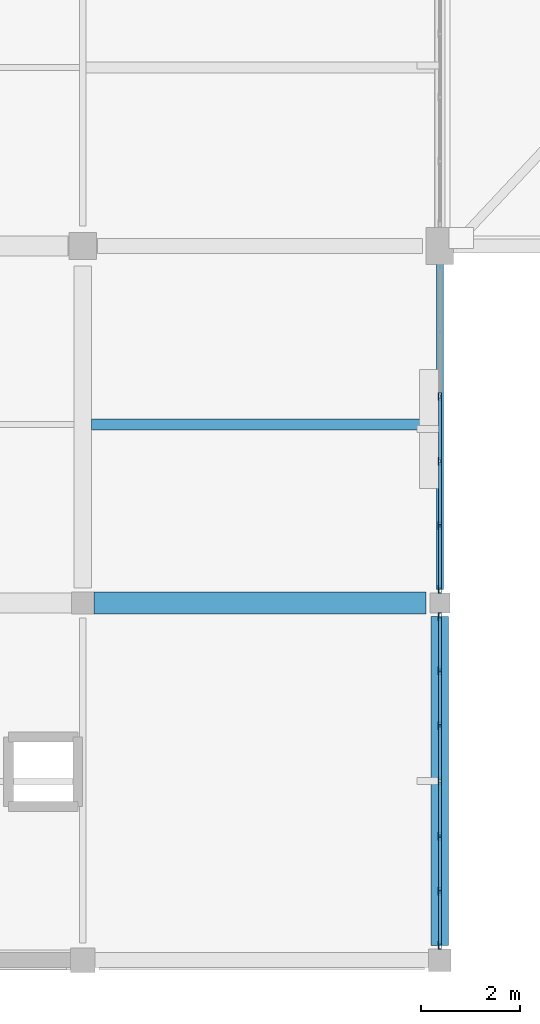
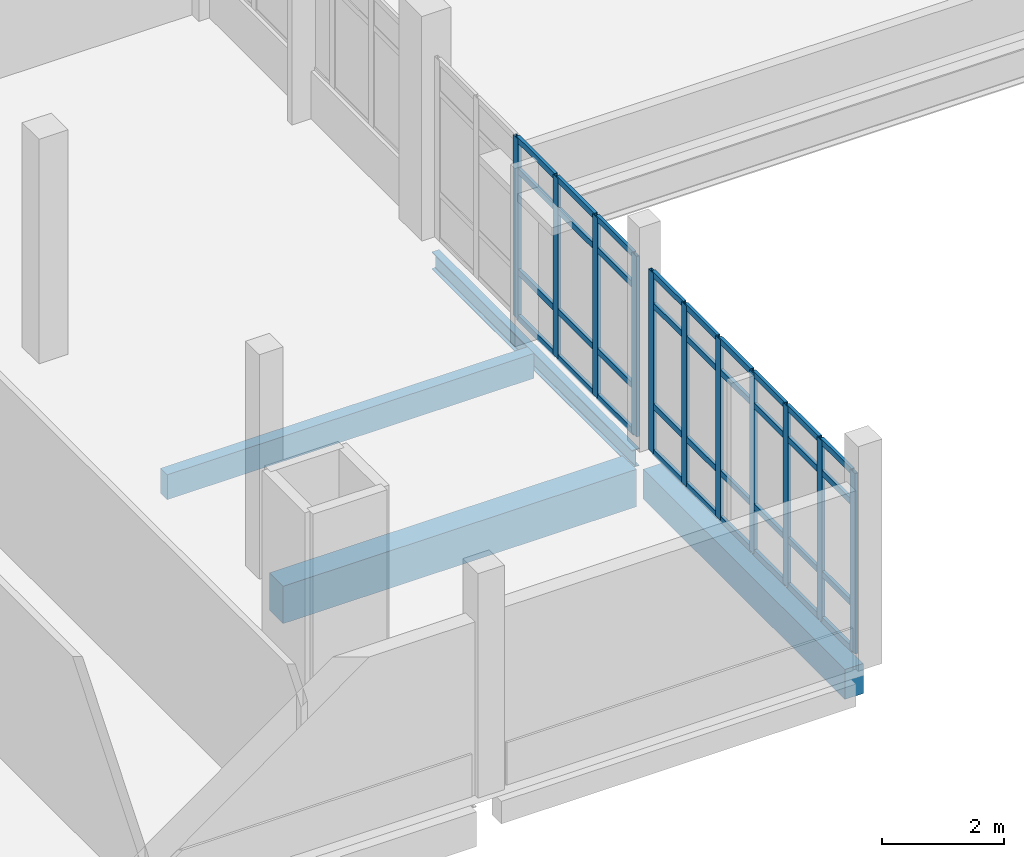
# One storey, part 7 of 87: 47 members, 4 beams, 2 elements without a shape of their own.
"""IFC4 building model written with IfcOpenShell, lengths in metres."""

from ifc_helpers import new_model, si_unit, direction, frame, origin, origin_2d, place, context, subcontext, project, spatial, rectangle, hollow_rectangle, i_section, extrude, material, material_profile, profile_set, type_object, element, aggregate, save


model = new_model("IFC4")

# Units and contexts
model_context = context("Model", 3, precision=1e-05, world=origin(), true_north=direction((0.0, 1.0)))
body_context = subcontext(model_context, "Body", "Model", "MODEL_VIEW")
ifc_project = project(units=[si_unit("LENGTHUNIT", "METRE"), si_unit("AREAUNIT", "SQUARE_METRE"), si_unit("VOLUMEUNIT", "CUBIC_METRE"), si_unit("PLANEANGLEUNIT", "RADIAN"), si_unit("MASSUNIT", "GRAM", prefix="KILO")], contexts=[model_context])

# Site, building, storey
site_placement = place(None, origin())
site = spatial("IfcSite", under=ifc_project, at=site_placement, CompositionType="ELEMENT")
building_placement = place(site_placement, origin())
building = spatial("IfcBuilding", under=site, at=building_placement, Name="Kalluvel Institute of Natural Sciences", CompositionType="ELEMENT")
storey_placement = place(building_placement, frame((0.0, 0.0, 18.89990234375)))
storey = spatial("IfcBuildingStorey", under=building, at=storey_placement, Name="L04", CompositionType="ELEMENT", Elevation=18.89990234375)

# Beams
ifc_material_1 = material(Name="Steel E350 Grade 350", Category="steel")
ifc_material_profile_1 = material_profile(ifc_material_1, i_section(OverallWidth=0.139892578125, OverallDepth=0.35009765625, WebThickness=0.008056640625, FlangeThickness=0.01416015625, FilletRadius=0.013916015625, at=origin_2d()), Name="ISMB 350")
ifc_profile_set_1 = profile_set([ifc_material_profile_1], Name="Steel E350 Grade 350")
beam_type_1 = type_object("IfcBeamType", Name="BM-ISMB350", PredefinedType="BEAM", material=ifc_profile_set_1)
beam_1_placement = place(storey_placement, frame((35.60009765625, 21.47509765625, -0.474853515625), z_axis=(0.0, 1.0, 0.0), x_axis=(-1.0, 0.0, 0.0)))
element("IfcBeam", 1, at=beam_1_placement, inside=storey, type_object=beam_type_1, Name="L04 girder GIR-L04-NS-X356-Y212", PredefinedType="BEAM", context=body_context, shape_type="SweptSolid", body=[
    extrude(i_section(OverallWidth=0.139892578125, OverallDepth=0.35009765625, WebThickness=0.008056640625, FlangeThickness=0.01416015625, FilletRadius=0.013916015625, at=origin_2d()), origin(), (0.0, 0.0, 1.0), 6.574951171875),
])
ifc_material_2 = material(Name="Concrete M40", Category="concrete")
ifc_material_profile_2 = material_profile(ifc_material_2, rectangle(XDim=0.35009765625, YDim=0.60009765625, at=origin_2d()), Name="RCB 350x600")
ifc_profile_set_2 = profile_set([ifc_material_profile_2], Name="Concrete M40")
beam_type_2 = type_object("IfcBeamType", Name="BM-RC350x600", PredefinedType="BEAM", material=ifc_profile_set_2)
beam_2_placement = place(storey_placement, frame((35.60009765625, 14.300048828125, -0.599853515625), z_axis=(0.0, 1.0, 0.0), x_axis=(-1.0, 0.0, 0.0)))
element("IfcBeam", 2, at=beam_2_placement, inside=storey, type_object=beam_type_2, Name="L04 girder GIR-L04-NS-X356-Y140", PredefinedType="BEAM", context=body_context, shape_type="SweptSolid", body=[
    extrude(rectangle(XDim=0.35009765625, YDim=0.60009765625, at=origin_2d()), origin(), (0.0, 0.0, 1.0), 6.625),
])
ifc_material_profile_3 = material_profile(ifc_material_2, rectangle(XDim=0.449951171875, YDim=0.75, at=origin_2d()), Name="RCB 450x750")
ifc_profile_set_3 = profile_set([ifc_material_profile_3], Name="Concrete M40")
beam_type_3 = type_object("IfcBeamType", Name="BM-RC450x750", PredefinedType="BEAM", material=ifc_profile_set_3)
beam_3_placement = place(storey_placement, frame((28.625, 21.199951171875, -0.6748046875), z_axis=(1.0, 0.0, 0.0), x_axis=(0.0, 1.0, 0.0)))
element("IfcBeam", 3, at=beam_3_placement, inside=storey, type_object=beam_type_3, Name="L04 girder GIR-L04-EW-X284-Y212", PredefinedType="BEAM", context=body_context, shape_type="SweptSolid", body=[
    extrude(rectangle(XDim=0.449951171875, YDim=0.75, at=origin_2d()), origin(), (0.0, 0.0, 1.0), 6.699951171875),
])

# Curtain wall, members
ifc_material_3 = material(Name="Aluminium AW-6063 T6", Category="aluminium")
curtain_wall_type = type_object("IfcCurtainWallType", Name="CW-DRY-45", PredefinedType="USERDEFINED", material=ifc_material_3)
curtain_wall_1_placement = place(storey_placement, origin())
curtain_wall_1 = element("IfcCurtainWall", 4, at=curtain_wall_1_placement, inside=storey, type_object=curtain_wall_type, Name="L04 Gothic lancet curtain wall CWA-L04-X356-Y143", ObjectType="UNITISED LANCET FACADE", PredefinedType="USERDEFINED")
ifc_material_profile_4 = material_profile(ifc_material_3, hollow_rectangle(XDim=0.06005859375, YDim=0.159912109375, WallThickness=0.00390625, at=origin_2d()), Name="CWM 60x160")
ifc_profile_set_4 = profile_set([ifc_material_profile_4], Name="Aluminium AW-6063 T6")
member_type_1 = type_object("IfcMemberType", Name="CWM-60x160", PredefinedType="MULLION", material=ifc_profile_set_4)
member_1_placement = place(storey_placement, frame((35.60009765625, 14.304931640625, 0.0), z_axis=(0.0, 0.0, 1.0), x_axis=(-1.0, 0.0, 0.0)))
member_1 = element("IfcMember", 5, at=member_1_placement, type_object=member_type_1, Name="CW-03 mullion 1", PredefinedType="MULLION", context=body_context, shape_type="SweptSolid", body=[
    extrude(hollow_rectangle(XDim=0.06005859375, YDim=0.159912109375, WallThickness=0.00390625, at=origin_2d()), origin(), (0.0, 0.0, 1.0), 3.6201171875),
])
member_2_placement = place(storey_placement, frame((35.60009765625, 15.387451171875, 0.0), z_axis=(0.0, 0.0, 1.0), x_axis=(-1.0, 0.0, 0.0)))
member_2 = element("IfcMember", 6, at=member_2_placement, type_object=member_type_1, Name="CW-03 mullion 2", PredefinedType="MULLION", context=body_context, shape_type="SweptSolid", body=[
    extrude(hollow_rectangle(XDim=0.06005859375, YDim=0.159912109375, WallThickness=0.00390625, at=origin_2d()), origin(), (0.0, 0.0, 1.0), 3.6201171875),
])
member_3_placement = place(storey_placement, frame((35.60009765625, 16.5, 0.0), z_axis=(0.0, 0.0, 1.0), x_axis=(-1.0, 0.0, 0.0)))
member_3 = element("IfcMember", 7, at=member_3_placement, type_object=member_type_1, Name="CW-03 mullion 3", PredefinedType="MULLION", context=body_context, shape_type="SweptSolid", body=[
    extrude(hollow_rectangle(XDim=0.06005859375, YDim=0.159912109375, WallThickness=0.00390625, at=origin_2d()), origin(), (0.0, 0.0, 1.0), 3.6201171875),
])
member_4_placement = place(storey_placement, frame((35.60009765625, 17.612548828125, 0.0), z_axis=(0.0, 0.0, 1.0), x_axis=(-1.0, 0.0, 0.0)))
member_4 = element("IfcMember", 8, at=member_4_placement, type_object=member_type_1, Name="CW-03 mullion 4", PredefinedType="MULLION", context=body_context, shape_type="SweptSolid", body=[
    extrude(hollow_rectangle(XDim=0.06005859375, YDim=0.159912109375, WallThickness=0.00390625, at=origin_2d()), origin(), (0.0, 0.0, 1.0), 3.6201171875),
])
member_5_placement = place(storey_placement, frame((35.60009765625, 18.72509765625, 0.0), z_axis=(0.0, 0.0, 1.0), x_axis=(-1.0, 0.0, 0.0)))
member_5 = element("IfcMember", 9, at=member_5_placement, type_object=member_type_1, Name="CW-03 mullion 5", PredefinedType="MULLION", context=body_context, shape_type="SweptSolid", body=[
    extrude(hollow_rectangle(XDim=0.06005859375, YDim=0.159912109375, WallThickness=0.00390625, at=origin_2d()), origin(), (0.0, 0.0, 1.0), 3.6201171875),
])
member_6_placement = place(storey_placement, frame((35.60009765625, 19.83740234375, 0.0), z_axis=(0.0, 0.0, 1.0), x_axis=(-1.0, 0.0, 0.0)))
member_6 = element("IfcMember", 10, at=member_6_placement, type_object=member_type_1, Name="CW-03 mullion 6", PredefinedType="MULLION", context=body_context, shape_type="SweptSolid", body=[
    extrude(hollow_rectangle(XDim=0.06005859375, YDim=0.159912109375, WallThickness=0.00390625, at=origin_2d()), origin(), (0.0, 0.0, 1.0), 3.6201171875),
])
member_7_placement = place(storey_placement, frame((35.60009765625, 20.919921875, 0.0), z_axis=(0.0, 0.0, 1.0), x_axis=(-1.0, 0.0, 0.0)))
member_7 = element("IfcMember", 11, at=member_7_placement, type_object=member_type_1, Name="CW-03 mullion 7", PredefinedType="MULLION", context=body_context, shape_type="SweptSolid", body=[
    extrude(hollow_rectangle(XDim=0.06005859375, YDim=0.159912109375, WallThickness=0.00390625, at=origin_2d()), origin(), (0.0, 0.0, 1.0), 3.6201171875),
])

curtain_wall_2_placement = place(storey_placement, origin())
curtain_wall_2 = element("IfcCurtainWall", 12, at=curtain_wall_2_placement, inside=storey, type_object=curtain_wall_type, Name="L04 Gothic lancet curtain wall CWA-L04-X356-Y214", ObjectType="UNITISED LANCET FACADE", PredefinedType="USERDEFINED")
member_8_placement = place(storey_placement, frame((35.60009765625, 21.47998046875, 0.0), z_axis=(0.0, 0.0, 1.0), x_axis=(-1.0, 0.0, 0.0)))
member_8 = element("IfcMember", 13, at=member_8_placement, type_object=member_type_1, Name="CW-03 mullion 1", PredefinedType="MULLION", context=body_context, shape_type="SweptSolid", body=[
    extrude(hollow_rectangle(XDim=0.06005859375, YDim=0.159912109375, WallThickness=0.00390625, at=origin_2d()), origin(), (0.0, 0.0, 1.0), 3.6201171875),
])
member_9_placement = place(storey_placement, frame((35.60009765625, 22.7548828125, 0.0), z_axis=(0.0, 0.0, 1.0), x_axis=(-1.0, 0.0, 0.0)))
member_9 = element("IfcMember", 14, at=member_9_placement, type_object=member_type_1, Name="CW-03 mullion 2", PredefinedType="MULLION", context=body_context, shape_type="SweptSolid", body=[
    extrude(hollow_rectangle(XDim=0.06005859375, YDim=0.159912109375, WallThickness=0.00390625, at=origin_2d()), origin(), (0.0, 0.0, 1.0), 3.6201171875),
])
member_10_placement = place(storey_placement, frame((35.60009765625, 24.06005859375, 0.0), z_axis=(0.0, 0.0, 1.0), x_axis=(-1.0, 0.0, 0.0)))
member_10 = element("IfcMember", 15, at=member_10_placement, type_object=member_type_1, Name="CW-03 mullion 3", PredefinedType="MULLION", context=body_context, shape_type="SweptSolid", body=[
    extrude(hollow_rectangle(XDim=0.06005859375, YDim=0.159912109375, WallThickness=0.00390625, at=origin_2d()), origin(), (0.0, 0.0, 1.0), 3.6201171875),
])
member_11_placement = place(storey_placement, frame((35.60009765625, 25.364990234375, 0.0), z_axis=(0.0, 0.0, 1.0), x_axis=(-1.0, 0.0, 0.0)))
member_11 = element("IfcMember", 16, at=member_11_placement, type_object=member_type_1, Name="CW-03 mullion 4", PredefinedType="MULLION", context=body_context, shape_type="SweptSolid", body=[
    extrude(hollow_rectangle(XDim=0.06005859375, YDim=0.159912109375, WallThickness=0.00390625, at=origin_2d()), origin(), (0.0, 0.0, 1.0), 3.6201171875),
])

# Member
ifc_material_profile_5 = material_profile(ifc_material_3, hollow_rectangle(XDim=0.06005859375, YDim=0.1201171875, WallThickness=0.00390625, at=origin_2d()), Name="CWT 60x120")
ifc_profile_set_5 = profile_set([ifc_material_profile_5], Name="Aluminium AW-6063 T6")
member_type_2 = type_object("IfcMemberType", Name="CWT-60x120", PredefinedType="USERDEFINED", material=ifc_profile_set_5)
member_12_placement = place(storey_placement, frame((35.60009765625, 14.3349609375, 0.030029296875), z_axis=(0.0, 1.0, 0.0), x_axis=(-1.0, 0.0, 0.0)))
member_12 = element("IfcMember", 17, at=member_12_placement, type_object=member_type_2, Name="CW-03 transom 1.1", ObjectType="TRANSOM", PredefinedType="USERDEFINED", context=body_context, shape_type="SweptSolid", body=[
    extrude(hollow_rectangle(XDim=0.06005859375, YDim=0.1201171875, WallThickness=0.00390625, at=origin_2d()), origin(), (0.0, 0.0, 1.0), 1.0224609375),
])

member_13_placement = place(storey_placement, frame((35.60009765625, 14.3349609375, 0.9501953125), z_axis=(0.0, 1.0, 0.0), x_axis=(-1.0, 0.0, 0.0)))
member_13 = element("IfcMember", 18, at=member_13_placement, type_object=member_type_2, Name="CW-03 transom 1.2", ObjectType="TRANSOM", PredefinedType="USERDEFINED", context=body_context, shape_type="SweptSolid", body=[
    extrude(hollow_rectangle(XDim=0.06005859375, YDim=0.1201171875, WallThickness=0.00390625, at=origin_2d()), origin(), (0.0, 0.0, 1.0), 1.0224609375),
])

member_14_placement = place(storey_placement, frame((35.60009765625, 14.3349609375, 2.97021484375), z_axis=(0.0, 1.0, 0.0), x_axis=(-1.0, 0.0, 0.0)))
member_14 = element("IfcMember", 19, at=member_14_placement, type_object=member_type_2, Name="CW-03 transom 1.3", ObjectType="TRANSOM", PredefinedType="USERDEFINED", context=body_context, shape_type="SweptSolid", body=[
    extrude(hollow_rectangle(XDim=0.06005859375, YDim=0.1201171875, WallThickness=0.00390625, at=origin_2d()), origin(), (0.0, 0.0, 1.0), 1.0224609375),
])

member_15_placement = place(storey_placement, frame((35.60009765625, 14.3349609375, 3.590087890625), z_axis=(0.0, 1.0, 0.0), x_axis=(-1.0, 0.0, 0.0)))
member_15 = element("IfcMember", 20, at=member_15_placement, type_object=member_type_2, Name="CW-03 transom 1.4", ObjectType="TRANSOM", PredefinedType="USERDEFINED", context=body_context, shape_type="SweptSolid", body=[
    extrude(hollow_rectangle(XDim=0.06005859375, YDim=0.1201171875, WallThickness=0.00390625, at=origin_2d()), origin(), (0.0, 0.0, 1.0), 1.0224609375),
])

member_16_placement = place(storey_placement, frame((35.60009765625, 15.41748046875, 0.030029296875), z_axis=(0.0, 1.0, 0.0), x_axis=(-1.0, 0.0, 0.0)))
member_16 = element("IfcMember", 21, at=member_16_placement, type_object=member_type_2, Name="CW-03 transom 2.1", ObjectType="TRANSOM", PredefinedType="USERDEFINED", context=body_context, shape_type="SweptSolid", body=[
    extrude(hollow_rectangle(XDim=0.06005859375, YDim=0.1201171875, WallThickness=0.00390625, at=origin_2d()), origin(), (0.0, 0.0, 1.0), 1.052490234375),
])

member_17_placement = place(storey_placement, frame((35.60009765625, 15.41748046875, 0.9501953125), z_axis=(0.0, 1.0, 0.0), x_axis=(-1.0, 0.0, 0.0)))
member_17 = element("IfcMember", 22, at=member_17_placement, type_object=member_type_2, Name="CW-03 transom 2.2", ObjectType="TRANSOM", PredefinedType="USERDEFINED", context=body_context, shape_type="SweptSolid", body=[
    extrude(hollow_rectangle(XDim=0.06005859375, YDim=0.1201171875, WallThickness=0.00390625, at=origin_2d()), origin(), (0.0, 0.0, 1.0), 1.052490234375),
])

member_18_placement = place(storey_placement, frame((35.60009765625, 15.41748046875, 2.97021484375), z_axis=(0.0, 1.0, 0.0), x_axis=(-1.0, 0.0, 0.0)))
member_18 = element("IfcMember", 23, at=member_18_placement, type_object=member_type_2, Name="CW-03 transom 2.3", ObjectType="TRANSOM", PredefinedType="USERDEFINED", context=body_context, shape_type="SweptSolid", body=[
    extrude(hollow_rectangle(XDim=0.06005859375, YDim=0.1201171875, WallThickness=0.00390625, at=origin_2d()), origin(), (0.0, 0.0, 1.0), 1.052490234375),
])

member_19_placement = place(storey_placement, frame((35.60009765625, 15.41748046875, 3.590087890625), z_axis=(0.0, 1.0, 0.0), x_axis=(-1.0, 0.0, 0.0)))
member_19 = element("IfcMember", 24, at=member_19_placement, type_object=member_type_2, Name="CW-03 transom 2.4", ObjectType="TRANSOM", PredefinedType="USERDEFINED", context=body_context, shape_type="SweptSolid", body=[
    extrude(hollow_rectangle(XDim=0.06005859375, YDim=0.1201171875, WallThickness=0.00390625, at=origin_2d()), origin(), (0.0, 0.0, 1.0), 1.052490234375),
])

member_20_placement = place(storey_placement, frame((35.60009765625, 16.530029296875, 0.030029296875), z_axis=(0.0, 1.0, 0.0), x_axis=(-1.0, 0.0, 0.0)))
member_20 = element("IfcMember", 25, at=member_20_placement, type_object=member_type_2, Name="CW-03 transom 3.1", ObjectType="TRANSOM", PredefinedType="USERDEFINED", context=body_context, shape_type="SweptSolid", body=[
    extrude(hollow_rectangle(XDim=0.06005859375, YDim=0.1201171875, WallThickness=0.00390625, at=origin_2d()), origin(), (0.0, 0.0, 1.0), 1.052490234375),
])

member_21_placement = place(storey_placement, frame((35.60009765625, 16.530029296875, 0.9501953125), z_axis=(0.0, 1.0, 0.0), x_axis=(-1.0, 0.0, 0.0)))
member_21 = element("IfcMember", 26, at=member_21_placement, type_object=member_type_2, Name="CW-03 transom 3.2", ObjectType="TRANSOM", PredefinedType="USERDEFINED", context=body_context, shape_type="SweptSolid", body=[
    extrude(hollow_rectangle(XDim=0.06005859375, YDim=0.1201171875, WallThickness=0.00390625, at=origin_2d()), origin(), (0.0, 0.0, 1.0), 1.052490234375),
])

member_22_placement = place(storey_placement, frame((35.60009765625, 16.530029296875, 2.97021484375), z_axis=(0.0, 1.0, 0.0), x_axis=(-1.0, 0.0, 0.0)))
member_22 = element("IfcMember", 27, at=member_22_placement, type_object=member_type_2, Name="CW-03 transom 3.3", ObjectType="TRANSOM", PredefinedType="USERDEFINED", context=body_context, shape_type="SweptSolid", body=[
    extrude(hollow_rectangle(XDim=0.06005859375, YDim=0.1201171875, WallThickness=0.00390625, at=origin_2d()), origin(), (0.0, 0.0, 1.0), 1.052490234375),
])

member_23_placement = place(storey_placement, frame((35.60009765625, 16.530029296875, 3.590087890625), z_axis=(0.0, 1.0, 0.0), x_axis=(-1.0, 0.0, 0.0)))
member_23 = element("IfcMember", 28, at=member_23_placement, type_object=member_type_2, Name="CW-03 transom 3.4", ObjectType="TRANSOM", PredefinedType="USERDEFINED", context=body_context, shape_type="SweptSolid", body=[
    extrude(hollow_rectangle(XDim=0.06005859375, YDim=0.1201171875, WallThickness=0.00390625, at=origin_2d()), origin(), (0.0, 0.0, 1.0), 1.052490234375),
])

member_24_placement = place(storey_placement, frame((35.60009765625, 17.642578125, 0.030029296875), z_axis=(0.0, 1.0, 0.0), x_axis=(-1.0, 0.0, 0.0)))
member_24 = element("IfcMember", 29, at=member_24_placement, type_object=member_type_2, Name="CW-03 transom 4.1", ObjectType="TRANSOM", PredefinedType="USERDEFINED", context=body_context, shape_type="SweptSolid", body=[
    extrude(hollow_rectangle(XDim=0.06005859375, YDim=0.1201171875, WallThickness=0.00390625, at=origin_2d()), origin(), (0.0, 0.0, 1.0), 1.052490234375),
])

member_25_placement = place(storey_placement, frame((35.60009765625, 17.642578125, 0.9501953125), z_axis=(0.0, 1.0, 0.0), x_axis=(-1.0, 0.0, 0.0)))
member_25 = element("IfcMember", 30, at=member_25_placement, type_object=member_type_2, Name="CW-03 transom 4.2", ObjectType="TRANSOM", PredefinedType="USERDEFINED", context=body_context, shape_type="SweptSolid", body=[
    extrude(hollow_rectangle(XDim=0.06005859375, YDim=0.1201171875, WallThickness=0.00390625, at=origin_2d()), origin(), (0.0, 0.0, 1.0), 1.052490234375),
])

member_26_placement = place(storey_placement, frame((35.60009765625, 17.642578125, 2.97021484375), z_axis=(0.0, 1.0, 0.0), x_axis=(-1.0, 0.0, 0.0)))
member_26 = element("IfcMember", 31, at=member_26_placement, type_object=member_type_2, Name="CW-03 transom 4.3", ObjectType="TRANSOM", PredefinedType="USERDEFINED", context=body_context, shape_type="SweptSolid", body=[
    extrude(hollow_rectangle(XDim=0.06005859375, YDim=0.1201171875, WallThickness=0.00390625, at=origin_2d()), origin(), (0.0, 0.0, 1.0), 1.052490234375),
])

member_27_placement = place(storey_placement, frame((35.60009765625, 17.642578125, 3.590087890625), z_axis=(0.0, 1.0, 0.0), x_axis=(-1.0, 0.0, 0.0)))
member_27 = element("IfcMember", 32, at=member_27_placement, type_object=member_type_2, Name="CW-03 transom 4.4", ObjectType="TRANSOM", PredefinedType="USERDEFINED", context=body_context, shape_type="SweptSolid", body=[
    extrude(hollow_rectangle(XDim=0.06005859375, YDim=0.1201171875, WallThickness=0.00390625, at=origin_2d()), origin(), (0.0, 0.0, 1.0), 1.052490234375),
])

member_28_placement = place(storey_placement, frame((35.60009765625, 18.7548828125, 0.030029296875), z_axis=(0.0, 1.0, 0.0), x_axis=(-1.0, 0.0, 0.0)))
member_28 = element("IfcMember", 33, at=member_28_placement, type_object=member_type_2, Name="CW-03 transom 5.1", ObjectType="TRANSOM", PredefinedType="USERDEFINED", context=body_context, shape_type="SweptSolid", body=[
    extrude(hollow_rectangle(XDim=0.06005859375, YDim=0.1201171875, WallThickness=0.00390625, at=origin_2d()), origin(), (0.0, 0.0, 1.0), 1.052734375),
])

member_29_placement = place(storey_placement, frame((35.60009765625, 18.7548828125, 0.9501953125), z_axis=(0.0, 1.0, 0.0), x_axis=(-1.0, 0.0, 0.0)))
member_29 = element("IfcMember", 34, at=member_29_placement, type_object=member_type_2, Name="CW-03 transom 5.2", ObjectType="TRANSOM", PredefinedType="USERDEFINED", context=body_context, shape_type="SweptSolid", body=[
    extrude(hollow_rectangle(XDim=0.06005859375, YDim=0.1201171875, WallThickness=0.00390625, at=origin_2d()), origin(), (0.0, 0.0, 1.0), 1.052734375),
])

member_30_placement = place(storey_placement, frame((35.60009765625, 18.7548828125, 2.97021484375), z_axis=(0.0, 1.0, 0.0), x_axis=(-1.0, 0.0, 0.0)))
member_30 = element("IfcMember", 35, at=member_30_placement, type_object=member_type_2, Name="CW-03 transom 5.3", ObjectType="TRANSOM", PredefinedType="USERDEFINED", context=body_context, shape_type="SweptSolid", body=[
    extrude(hollow_rectangle(XDim=0.06005859375, YDim=0.1201171875, WallThickness=0.00390625, at=origin_2d()), origin(), (0.0, 0.0, 1.0), 1.052734375),
])

member_31_placement = place(storey_placement, frame((35.60009765625, 18.7548828125, 3.590087890625), z_axis=(0.0, 1.0, 0.0), x_axis=(-1.0, 0.0, 0.0)))
member_31 = element("IfcMember", 36, at=member_31_placement, type_object=member_type_2, Name="CW-03 transom 5.4", ObjectType="TRANSOM", PredefinedType="USERDEFINED", context=body_context, shape_type="SweptSolid", body=[
    extrude(hollow_rectangle(XDim=0.06005859375, YDim=0.1201171875, WallThickness=0.00390625, at=origin_2d()), origin(), (0.0, 0.0, 1.0), 1.052734375),
])

member_32_placement = place(storey_placement, frame((35.60009765625, 19.867431640625, 0.030029296875), z_axis=(0.0, 1.0, 0.0), x_axis=(-1.0, 0.0, 0.0)))
member_32 = element("IfcMember", 37, at=member_32_placement, type_object=member_type_2, Name="CW-03 transom 6.1", ObjectType="TRANSOM", PredefinedType="USERDEFINED", context=body_context, shape_type="SweptSolid", body=[
    extrude(hollow_rectangle(XDim=0.06005859375, YDim=0.1201171875, WallThickness=0.00390625, at=origin_2d()), origin(), (0.0, 0.0, 1.0), 1.0224609375),
])

member_33_placement = place(storey_placement, frame((35.60009765625, 19.867431640625, 0.9501953125), z_axis=(0.0, 1.0, 0.0), x_axis=(-1.0, 0.0, 0.0)))
member_33 = element("IfcMember", 38, at=member_33_placement, type_object=member_type_2, Name="CW-03 transom 6.2", ObjectType="TRANSOM", PredefinedType="USERDEFINED", context=body_context, shape_type="SweptSolid", body=[
    extrude(hollow_rectangle(XDim=0.06005859375, YDim=0.1201171875, WallThickness=0.00390625, at=origin_2d()), origin(), (0.0, 0.0, 1.0), 1.0224609375),
])

member_34_placement = place(storey_placement, frame((35.60009765625, 19.867431640625, 2.97021484375), z_axis=(0.0, 1.0, 0.0), x_axis=(-1.0, 0.0, 0.0)))
member_34 = element("IfcMember", 39, at=member_34_placement, type_object=member_type_2, Name="CW-03 transom 6.3", ObjectType="TRANSOM", PredefinedType="USERDEFINED", context=body_context, shape_type="SweptSolid", body=[
    extrude(hollow_rectangle(XDim=0.06005859375, YDim=0.1201171875, WallThickness=0.00390625, at=origin_2d()), origin(), (0.0, 0.0, 1.0), 1.0224609375),
])

member_35_placement = place(storey_placement, frame((35.60009765625, 19.867431640625, 3.590087890625), z_axis=(0.0, 1.0, 0.0), x_axis=(-1.0, 0.0, 0.0)))
member_35 = element("IfcMember", 40, at=member_35_placement, type_object=member_type_2, Name="CW-03 transom 6.4", ObjectType="TRANSOM", PredefinedType="USERDEFINED", context=body_context, shape_type="SweptSolid", body=[
    extrude(hollow_rectangle(XDim=0.06005859375, YDim=0.1201171875, WallThickness=0.00390625, at=origin_2d()), origin(), (0.0, 0.0, 1.0), 1.0224609375),
])

aggregate(curtain_wall_1, [member_1, member_2, member_3, member_4, member_5, member_6, member_7, member_12, member_13, member_14, member_15, member_16, member_17, member_18, member_19, member_20, member_21, member_22, member_23, member_24, member_25, member_26, member_27, member_28, member_29, member_30, member_31, member_32, member_33, member_34, member_35])

member_36_placement = place(storey_placement, frame((35.60009765625, 21.510009765625, 0.030029296875), z_axis=(0.0, 1.0, 0.0), x_axis=(-1.0, 0.0, 0.0)))
member_36 = element("IfcMember", 41, at=member_36_placement, type_object=member_type_2, Name="CW-03 transom 1.1", ObjectType="TRANSOM", PredefinedType="USERDEFINED", context=body_context, shape_type="SweptSolid", body=[
    extrude(hollow_rectangle(XDim=0.06005859375, YDim=0.1201171875, WallThickness=0.00390625, at=origin_2d()), origin(), (0.0, 0.0, 1.0), 1.215087890625),
])

member_37_placement = place(storey_placement, frame((35.60009765625, 21.510009765625, 0.9501953125), z_axis=(0.0, 1.0, 0.0), x_axis=(-1.0, 0.0, 0.0)))
member_37 = element("IfcMember", 42, at=member_37_placement, type_object=member_type_2, Name="CW-03 transom 1.2", ObjectType="TRANSOM", PredefinedType="USERDEFINED", context=body_context, shape_type="SweptSolid", body=[
    extrude(hollow_rectangle(XDim=0.06005859375, YDim=0.1201171875, WallThickness=0.00390625, at=origin_2d()), origin(), (0.0, 0.0, 1.0), 1.215087890625),
])

member_38_placement = place(storey_placement, frame((35.60009765625, 21.510009765625, 2.97021484375), z_axis=(0.0, 1.0, 0.0), x_axis=(-1.0, 0.0, 0.0)))
member_38 = element("IfcMember", 43, at=member_38_placement, type_object=member_type_2, Name="CW-03 transom 1.3", ObjectType="TRANSOM", PredefinedType="USERDEFINED", context=body_context, shape_type="SweptSolid", body=[
    extrude(hollow_rectangle(XDim=0.06005859375, YDim=0.1201171875, WallThickness=0.00390625, at=origin_2d()), origin(), (0.0, 0.0, 1.0), 1.215087890625),
])

member_39_placement = place(storey_placement, frame((35.60009765625, 21.510009765625, 3.590087890625), z_axis=(0.0, 1.0, 0.0), x_axis=(-1.0, 0.0, 0.0)))
member_39 = element("IfcMember", 44, at=member_39_placement, type_object=member_type_2, Name="CW-03 transom 1.4", ObjectType="TRANSOM", PredefinedType="USERDEFINED", context=body_context, shape_type="SweptSolid", body=[
    extrude(hollow_rectangle(XDim=0.06005859375, YDim=0.1201171875, WallThickness=0.00390625, at=origin_2d()), origin(), (0.0, 0.0, 1.0), 1.215087890625),
])

member_40_placement = place(storey_placement, frame((35.60009765625, 22.784912109375, 0.030029296875), z_axis=(0.0, 1.0, 0.0), x_axis=(-1.0, 0.0, 0.0)))
member_40 = element("IfcMember", 45, at=member_40_placement, type_object=member_type_2, Name="CW-03 transom 2.1", ObjectType="TRANSOM", PredefinedType="USERDEFINED", context=body_context, shape_type="SweptSolid", body=[
    extrude(hollow_rectangle(XDim=0.06005859375, YDim=0.1201171875, WallThickness=0.00390625, at=origin_2d()), origin(), (0.0, 0.0, 1.0), 1.2451171875),
])

member_41_placement = place(storey_placement, frame((35.60009765625, 22.784912109375, 0.9501953125), z_axis=(0.0, 1.0, 0.0), x_axis=(-1.0, 0.0, 0.0)))
member_41 = element("IfcMember", 46, at=member_41_placement, type_object=member_type_2, Name="CW-03 transom 2.2", ObjectType="TRANSOM", PredefinedType="USERDEFINED", context=body_context, shape_type="SweptSolid", body=[
    extrude(hollow_rectangle(XDim=0.06005859375, YDim=0.1201171875, WallThickness=0.00390625, at=origin_2d()), origin(), (0.0, 0.0, 1.0), 1.2451171875),
])

member_42_placement = place(storey_placement, frame((35.60009765625, 22.784912109375, 2.97021484375), z_axis=(0.0, 1.0, 0.0), x_axis=(-1.0, 0.0, 0.0)))
member_42 = element("IfcMember", 47, at=member_42_placement, type_object=member_type_2, Name="CW-03 transom 2.3", ObjectType="TRANSOM", PredefinedType="USERDEFINED", context=body_context, shape_type="SweptSolid", body=[
    extrude(hollow_rectangle(XDim=0.06005859375, YDim=0.1201171875, WallThickness=0.00390625, at=origin_2d()), origin(), (0.0, 0.0, 1.0), 1.2451171875),
])

member_43_placement = place(storey_placement, frame((35.60009765625, 22.784912109375, 3.590087890625), z_axis=(0.0, 1.0, 0.0), x_axis=(-1.0, 0.0, 0.0)))
member_43 = element("IfcMember", 48, at=member_43_placement, type_object=member_type_2, Name="CW-03 transom 2.4", ObjectType="TRANSOM", PredefinedType="USERDEFINED", context=body_context, shape_type="SweptSolid", body=[
    extrude(hollow_rectangle(XDim=0.06005859375, YDim=0.1201171875, WallThickness=0.00390625, at=origin_2d()), origin(), (0.0, 0.0, 1.0), 1.2451171875),
])

member_44_placement = place(storey_placement, frame((35.60009765625, 24.090087890625, 0.030029296875), z_axis=(0.0, 1.0, 0.0), x_axis=(-1.0, 0.0, 0.0)))
member_44 = element("IfcMember", 49, at=member_44_placement, type_object=member_type_2, Name="CW-03 transom 3.1", ObjectType="TRANSOM", PredefinedType="USERDEFINED", context=body_context, shape_type="SweptSolid", body=[
    extrude(hollow_rectangle(XDim=0.06005859375, YDim=0.1201171875, WallThickness=0.00390625, at=origin_2d()), origin(), (0.0, 0.0, 1.0), 1.244873046875),
])

member_45_placement = place(storey_placement, frame((35.60009765625, 24.090087890625, 0.9501953125), z_axis=(0.0, 1.0, 0.0), x_axis=(-1.0, 0.0, 0.0)))
member_45 = element("IfcMember", 50, at=member_45_placement, type_object=member_type_2, Name="CW-03 transom 3.2", ObjectType="TRANSOM", PredefinedType="USERDEFINED", context=body_context, shape_type="SweptSolid", body=[
    extrude(hollow_rectangle(XDim=0.06005859375, YDim=0.1201171875, WallThickness=0.00390625, at=origin_2d()), origin(), (0.0, 0.0, 1.0), 1.244873046875),
])

member_46_placement = place(storey_placement, frame((35.60009765625, 24.090087890625, 2.97021484375), z_axis=(0.0, 1.0, 0.0), x_axis=(-1.0, 0.0, 0.0)))
member_46 = element("IfcMember", 51, at=member_46_placement, type_object=member_type_2, Name="CW-03 transom 3.3", ObjectType="TRANSOM", PredefinedType="USERDEFINED", context=body_context, shape_type="SweptSolid", body=[
    extrude(hollow_rectangle(XDim=0.06005859375, YDim=0.1201171875, WallThickness=0.00390625, at=origin_2d()), origin(), (0.0, 0.0, 1.0), 1.244873046875),
])

member_47_placement = place(storey_placement, frame((35.60009765625, 24.090087890625, 3.590087890625), z_axis=(0.0, 1.0, 0.0), x_axis=(-1.0, 0.0, 0.0)))
member_47 = element("IfcMember", 52, at=member_47_placement, type_object=member_type_2, Name="CW-03 transom 3.4", ObjectType="TRANSOM", PredefinedType="USERDEFINED", context=body_context, shape_type="SweptSolid", body=[
    extrude(hollow_rectangle(XDim=0.06005859375, YDim=0.1201171875, WallThickness=0.00390625, at=origin_2d()), origin(), (0.0, 0.0, 1.0), 1.244873046875),
])

aggregate(curtain_wall_2, [member_8, member_9, member_10, member_11, member_36, member_37, member_38, member_39, member_40, member_41, member_42, member_43, member_44, member_45, member_46, member_47])

# Beam
ifc_material_profile_6 = material_profile(ifc_material_2, rectangle(XDim=0.219970703125, YDim=0.5, at=origin_2d()), Name="WAF 220x500")
ifc_profile_set_6 = profile_set([ifc_material_profile_6], Name="Concrete M40")
beam_type_4 = type_object("IfcBeamType", Name="WJ-220x500", PredefinedType="JOIST", material=ifc_profile_set_6)
beam_4_placement = place(storey_placement, frame((28.574951171875, 24.800048828125, -0.5498046875), z_axis=(1.0, 0.0, 0.0), x_axis=(0.0, 1.0, 0.0)))
element("IfcBeam", 53, at=beam_4_placement, inside=storey, type_object=beam_type_4, Name="L04 floor rib RIB-L04-0711", PredefinedType="JOIST", context=body_context, shape_type="SweptSolid", body=[
    extrude(rectangle(XDim=0.219970703125, YDim=0.5, at=origin_2d()), origin(), (0.0, 0.0, 1.0), 6.955078125),
])

save(model, "model.ifc")
